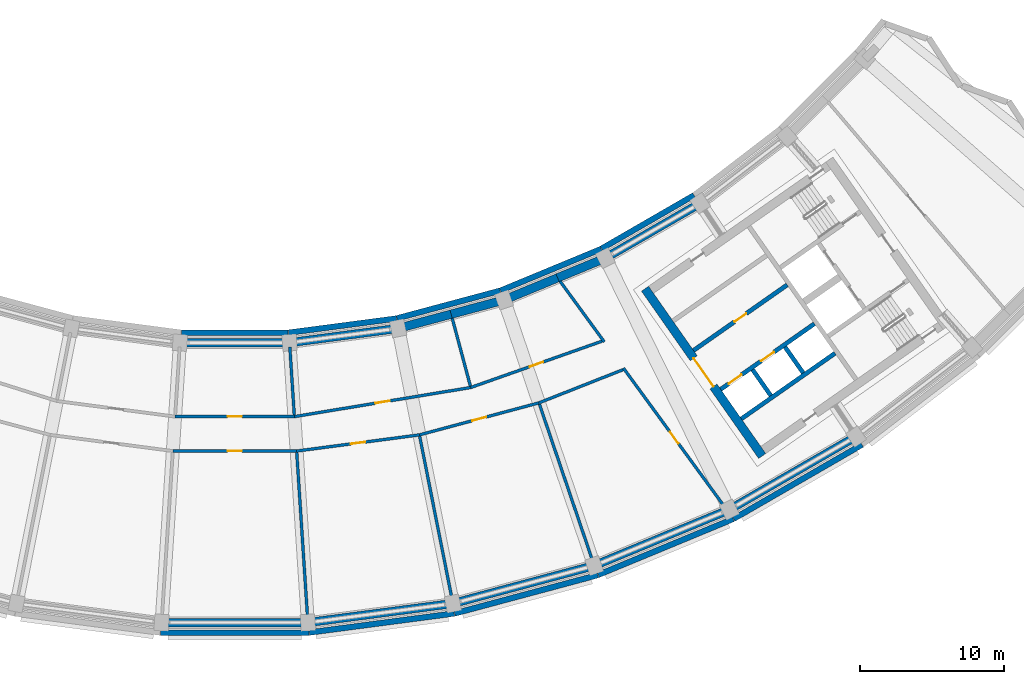
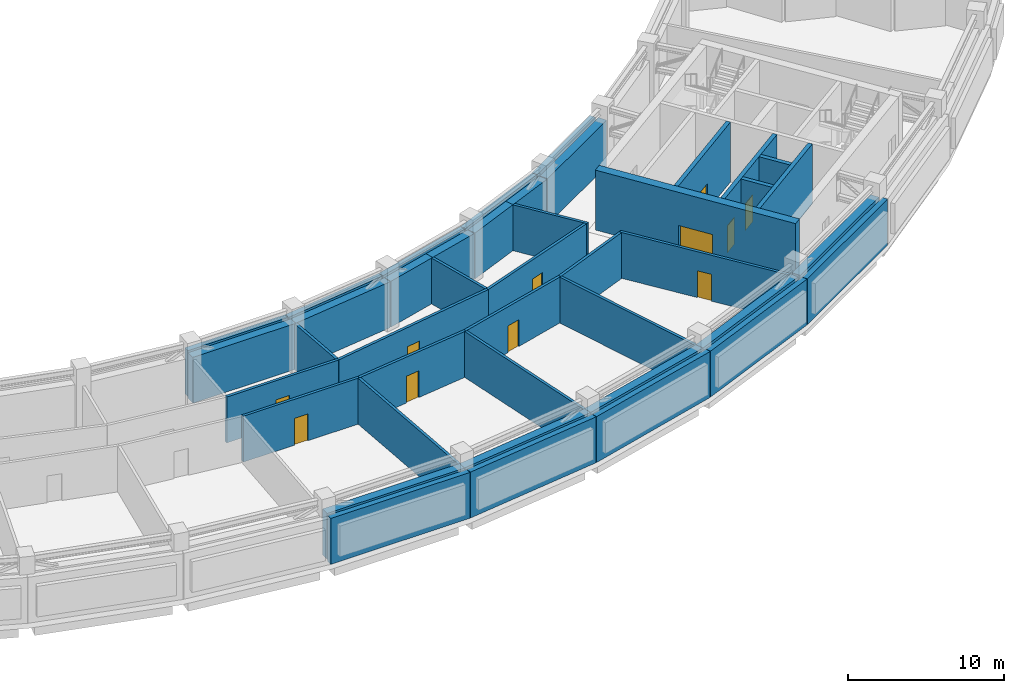
# One storey, part 7 of 24: 42 walls, 11 doors, 11 openings.
"""IFC4 building model written with IfcOpenShell, lengths in metres."""

from ifc_helpers import new_model, si_unit, direction, frame, frame_2d, origin, place, context, subcontext, project, spatial, rectangle, extrude, material, layer, layer_set, type_object, element, fill, save


model = new_model("IFC4")

# Units and contexts
model_context = context("Model", 3, precision=1e-05, world=origin(), true_north=direction((0.0, 1.0)))
body_context = subcontext(model_context, "Body", "Model", "MODEL_VIEW")
ifc_project = project(units=[si_unit("LENGTHUNIT", "METRE"), si_unit("AREAUNIT", "SQUARE_METRE"), si_unit("VOLUMEUNIT", "CUBIC_METRE"), si_unit("PLANEANGLEUNIT", "RADIAN"), si_unit("MASSUNIT", "GRAM", prefix="KILO")], contexts=[model_context])

# Site, building, storey
site_placement = place(None, origin())
site = spatial("IfcSite", under=ifc_project, at=site_placement, CompositionType="ELEMENT")
building_placement = place(site_placement, origin())
building = spatial("IfcBuilding", under=site, at=building_placement, Name="Qamariyya Broadcast Tower", CompositionType="ELEMENT")
storey_placement = place(building_placement, frame((0.0, 0.0, 253.10009765625)))
storey = spatial("IfcBuildingStorey", under=building, at=storey_placement, Name="L61", CompositionType="ELEMENT", Elevation=253.10009765625)

# Wall, opening, door
ifc_material_1 = material(Name="Concrete C60/75", Category="concrete")
ifc_layer_1 = layer(ifc_material_1, 0.60009765625)
ifc_layer_set_1 = layer_set([ifc_layer_1], Name="Core wall 600 mm Concrete C60/75")
wall_type_1 = type_object("IfcWallType", Name="Core wall 600 mm Concrete C60/75", PredefinedType="SHEAR", material=ifc_layer_set_1)
wall_1_placement = place(storey_placement, frame((36.66748046875, -66.005126953125, 0.0), z_axis=(0.0, 0.0, 1.0), x_axis=(-0.573568499524, 0.819157601658, 0.0)))
wall_1 = element("IfcWall", 1, at=wall_1_placement, inside=storey, type_object=wall_type_1, Name="k-E-L61-WA", PredefinedType="SHEAR", context=body_context, shape_type="SweptSolid", body=[
    extrude(rectangle(XDim=14.19970703125, YDim=0.60009765625, at=frame_2d((7.099853515625, 0.0))), origin(), (0.0, 0.0, 1.0), 4.699951171875),
])
opening_1_placement = place(wall_1_placement, frame((5.89990234375, 0.0, 0.0)))
opening_1 = element("IfcOpeningElement", 2, at=opening_1_placement, cuts=wall_1, Name="Opening KD3-E1", PredefinedType="OPENING", context=body_context, shape_type="SweptSolid", body=[
    extrude(rectangle(XDim=2.39990234375, YDim=2.10009765625, at=frame_2d((1.199951171875, 1.050048828125))), frame((0.0, 0.31005859375, 0.0), z_axis=(0.0, -1.0, 0.0), x_axis=(1.0, 0.0, 0.0)), (0.0, 0.0, 1.0), 0.6201171875),
])
ifc_material_2 = material(Name="Steel fire-resisting door leaf", Category="steel")
door_type_1 = type_object("IfcDoorType", Name="Lift lobby door KD3", OperationType="DOUBLE_DOOR_SINGLE_SWING", PredefinedType="DOOR", material=ifc_material_2)
door_1_placement = place(opening_1_placement, origin())
door_1 = element("IfcDoor", 3, at=door_1_placement, inside=storey, type_object=door_type_1, Name="k-E-L61-WA-D1", OperationType="DOUBLE_DOOR_SINGLE_SWING", OverallHeight=2.10009765625, OverallWidth=2.39990234375, PredefinedType="DOOR", context=body_context, shape_type="SweptSolid", body=[
    extrude(rectangle(XDim=2.39990234375, YDim=2.10009765625, at=frame_2d((1.199951171875, 1.050048828125))), frame((0.0, 0.02490234375, 0.0), z_axis=(0.0, -1.0, 0.0), x_axis=(1.0, 0.0, 0.0)), (0.0, 0.0, 1.0), 0.050048828125),
])
fill(opening_1, door_1)

ifc_layer_2 = layer(ifc_material_1, 0.300048828125)
ifc_layer_set_2 = layer_set([ifc_layer_2], Name="Lift shaft wall 300 mm Concrete C60/75")
wall_type_2 = type_object("IfcWallType", Name="Lift shaft wall 300 mm Concrete C60/75", PredefinedType="SOLIDWALL", material=ifc_layer_set_2)
wall_2_placement = place(storey_placement, frame((31.89453125, -58.66552734375, 0.0), z_axis=(0.0, 0.0, 1.0), x_axis=(0.819166993208, 0.573555086491, 0.0)))
wall_2 = element("IfcWall", 4, at=wall_2_placement, inside=storey, type_object=wall_type_2, Name="k-E-L61-NF0", PredefinedType="SOLIDWALL", context=body_context, shape_type="SweptSolid", body=[
    extrude(rectangle(XDim=7.9501953125, YDim=0.300048828125, at=frame_2d((3.97509765625, 0.0))), origin(), (0.0, 0.0, 1.0), 4.699951171875),
])
opening_2_placement = place(wall_2_placement, frame((3.47509765625, 0.0, 0.0)))
opening_2 = element("IfcOpeningElement", 5, at=opening_2_placement, cuts=wall_2, Name="Opening KD4-E1", PredefinedType="OPENING", context=body_context, shape_type="SweptSolid", body=[
    extrude(rectangle(XDim=1.0, YDim=2.10009765625, at=frame_2d((0.5, 1.050048828125))), frame((0.0, 0.159912109375, 0.0), z_axis=(0.0, -1.0, 0.0), x_axis=(1.0, 0.0, 0.0)), (0.0, 0.0, 1.0), 0.320068359375),
])
door_type_2 = type_object("IfcDoorType", Name="Riser and plant door KD4", OperationType="SINGLE_SWING_LEFT", PredefinedType="DOOR", material=ifc_material_2)
door_2_placement = place(opening_2_placement, origin())
door_2 = element("IfcDoor", 6, at=door_2_placement, inside=storey, type_object=door_type_2, Name="k-E-L61-NF0-D2", OperationType="SINGLE_SWING_RIGHT", OverallHeight=2.10009765625, OverallWidth=1.0, PredefinedType="DOOR", context=body_context, shape_type="SweptSolid", body=[
    extrude(rectangle(XDim=1.0, YDim=2.10009765625, at=frame_2d((0.5, 1.050048828125))), frame((0.0, 0.02490234375, 0.0), z_axis=(0.0, -1.0, 0.0), x_axis=(1.0, 0.0, 0.0)), (0.0, 0.0, 1.0), 0.050048828125),
])
fill(opening_2, door_2)

# Wall, openings, doors
wall_3_placement = place(storey_placement, frame((33.787353515625, -61.368896484375, 0.0), z_axis=(0.0, 0.0, 1.0), x_axis=(0.819152564888, 0.573575692858, 0.0)))
wall_3 = element("IfcWall", 7, at=wall_3_placement, inside=storey, type_object=wall_type_2, Name="k-E-L61-SF0", PredefinedType="SOLIDWALL", context=body_context, shape_type="SweptSolid", body=[
    extrude(rectangle(XDim=7.9501953125, YDim=0.300048828125, at=frame_2d((3.97509765625, 0.0))), origin(), (0.0, 0.0, 1.0), 4.699951171875),
])
opening_3_placement = place(wall_3_placement, frame((0.675048828125, 0.0, 0.0)))
opening_3 = element("IfcOpeningElement", 8, at=opening_3_placement, cuts=wall_3, Name="Opening LD", PredefinedType="OPENING", context=body_context, shape_type="SweptSolid", body=[
    extrude(rectangle(XDim=1.10009765625, YDim=2.10009765625, at=frame_2d((0.550048828125, 1.050048828125))), frame((0.0, 0.159912109375, 0.0), z_axis=(0.0, -1.0, 0.0), x_axis=(1.0, 0.0, 0.0)), (0.0, 0.0, 1.0), 0.320068359375),
])
opening_4_placement = place(wall_3_placement, frame((3.425048828125, 0.0, 0.0)))
opening_4 = element("IfcOpeningElement", 9, at=opening_4_placement, cuts=wall_3, Name="Opening LD", PredefinedType="OPENING", context=body_context, shape_type="SweptSolid", body=[
    extrude(rectangle(XDim=1.10009765625, YDim=2.10009765625, at=frame_2d((0.550048828125, 1.050048828125))), frame((0.0, 0.159912109375, 0.0), z_axis=(0.0, -1.0, 0.0), x_axis=(1.0, 0.0, 0.0)), (0.0, 0.0, 1.0), 0.320068359375),
])
door_type_3 = type_object("IfcDoorType", Name="Lift landing door LD", OperationType="DOUBLE_DOOR_SLIDING", PredefinedType="DOOR", material=ifc_material_2)
door_3_placement = place(opening_3_placement, origin())
door_3 = element("IfcDoor", 10, at=door_3_placement, inside=storey, type_object=door_type_3, Name="k-E-L61-SF0-D3", OperationType="DOUBLE_DOOR_SLIDING", OverallHeight=2.10009765625, OverallWidth=1.10009765625, PredefinedType="DOOR", context=body_context, shape_type="SweptSolid", body=[
    extrude(rectangle(XDim=1.10009765625, YDim=2.10009765625, at=frame_2d((0.550048828125, 1.050048828125))), frame((0.0, 0.02490234375, 0.0), z_axis=(0.0, -1.0, 0.0), x_axis=(1.0, 0.0, 0.0)), (0.0, 0.0, 1.0), 0.050048828125),
])
fill(opening_3, door_3)
door_4_placement = place(opening_4_placement, origin())
door_4 = element("IfcDoor", 11, at=door_4_placement, inside=storey, type_object=door_type_3, Name="k-E-L61-SF0-D4", OperationType="DOUBLE_DOOR_SLIDING", OverallHeight=2.10009765625, OverallWidth=1.10009765625, PredefinedType="DOOR", context=body_context, shape_type="SweptSolid", body=[
    extrude(rectangle(XDim=1.10009765625, YDim=2.10009765625, at=frame_2d((0.550048828125, 1.050048828125))), frame((0.0, 0.02490234375, 0.0), z_axis=(0.0, -1.0, 0.0), x_axis=(1.0, 0.0, 0.0)), (0.0, 0.0, 1.0), 0.050048828125),
])
fill(opening_4, door_4)

# Walls
wall_4_placement = place(storey_placement, frame((35.22119140625, -63.41650390625, 0.0), z_axis=(0.0, 0.0, 1.0), x_axis=(0.819166993208, 0.573555086491, 0.0)))
element("IfcWall", 12, at=wall_4_placement, inside=storey, type_object=wall_type_2, Name="k-E-L61-SB0", PredefinedType="SOLIDWALL", context=body_context, shape_type="SweptSolid", body=[
    extrude(rectangle(XDim=7.9501953125, YDim=0.300048828125, at=frame_2d((3.97509765625, 0.0))), origin(), (0.0, 0.0, 1.0), 4.699951171875),
])
wall_5_placement = place(storey_placement, frame((36.003173828125, -60.000244140625, 0.0), z_axis=(0.0, 0.0, 1.0), x_axis=(0.573581496053, -0.819148501424, 0.0)))
element("IfcWall", 13, at=wall_5_placement, inside=storey, type_object=wall_type_2, Name="k-E-L61-SD0", PredefinedType="SOLIDWALL", context=body_context, shape_type="SweptSolid", body=[
    extrude(rectangle(XDim=2.2001953125, YDim=0.300048828125, at=frame_2d((1.10009765625, 0.0))), origin(), (0.0, 0.0, 1.0), 4.699951171875),
])
wall_6_placement = place(storey_placement, frame((38.255859375, -58.423095703125, 0.0), z_axis=(0.0, 0.0, 1.0), x_axis=(0.573633636671, -0.819111989218, 0.0)))
element("IfcWall", 14, at=wall_6_placement, inside=storey, type_object=wall_type_2, Name="k-E-L61-SD1", PredefinedType="SOLIDWALL", context=body_context, shape_type="SweptSolid", body=[
    extrude(rectangle(XDim=2.199951171875, YDim=0.300048828125, at=frame_2d((1.10009765625, 0.0))), origin(), (0.0, 0.0, 1.0), 4.699951171875),
])

# Wall, opening, door
ifc_material_3 = material(Name="Masonry block wall", Category="masonry")
ifc_layer_3 = layer(ifc_material_3, 0.199951171875)
ifc_layer_set_3 = layer_set([ifc_layer_3], Name="Plant room wall 200 EI 120")
wall_type_3 = type_object("IfcWallType", Name="Plant room wall 200 EI 120", PredefinedType="PARTITIONING", material=ifc_layer_set_3)
wall_7_placement = place(storey_placement, frame((4.303466796875, -65.6591796875, 0.0), z_axis=(0.0, 0.0, 1.0), x_axis=(-1.0, 0.0, 0.0)))
wall_7 = element("IfcWall", 15, at=wall_7_placement, inside=storey, type_object=wall_type_3, Name="Partition L61-033", PredefinedType="PARTITIONING", context=body_context, shape_type="SweptSolid", body=[
    extrude(rectangle(XDim=8.60693359375, YDim=0.199951171875, at=frame_2d((4.303466796875, 0.0))), origin(), (0.0, 0.0, 1.0), 3.599853515625),
])
opening_5_placement = place(wall_7_placement, frame((3.803466796875, 0.0, 0.0)))
opening_5 = element("IfcOpeningElement", 16, at=opening_5_placement, cuts=wall_7, Name="Opening L61-D04", PredefinedType="OPENING", context=body_context, shape_type="SweptSolid", body=[
    extrude(rectangle(XDim=1.0, YDim=2.10009765625, at=frame_2d((0.5, 1.050048828125))), frame((0.0, 0.10986328125, 0.0), z_axis=(0.0, -1.0, 0.0), x_axis=(1.0, 0.0, 0.0)), (0.0, 0.0, 1.0), 0.219970703125),
])
ifc_material_4 = material(Name="Insulated metal door leaf")
door_type_4 = type_object("IfcDoorType", Name="Plant door 1000 x 2100 FD120", OperationType="NOTDEFINED", PredefinedType="DOOR", material=ifc_material_4)
door_5_placement = place(opening_5_placement, origin())
door_5 = element("IfcDoor", 17, at=door_5_placement, inside=storey, type_object=door_type_4, Name="Door L61-D04", OperationType="SINGLE_SWING_RIGHT", OverallHeight=2.10009765625, OverallWidth=1.0, PredefinedType="DOOR", context=body_context, shape_type="SweptSolid", body=[
    extrude(rectangle(XDim=1.0, YDim=2.10009765625, at=frame_2d((0.5, 1.050048828125))), frame((0.0, 0.02490234375, 0.0), z_axis=(0.0, -1.0, 0.0), x_axis=(1.0, 0.0, 0.0)), (0.0, 0.0, 1.0), 0.050048828125),
])
fill(opening_5, door_5)

wall_8_placement = place(storey_placement, frame((-4.146484375, -63.26416015625, 0.0), z_axis=(0.0, 0.0, 1.0), x_axis=(1.0, 0.0, 0.0)))
wall_8 = element("IfcWall", 18, at=wall_8_placement, inside=storey, type_object=wall_type_3, Name="Partition L61-034", PredefinedType="PARTITIONING", context=body_context, shape_type="SweptSolid", body=[
    extrude(rectangle(XDim=8.29296875, YDim=0.199951171875, at=frame_2d((4.146484375, 0.0))), origin(), (0.0, 0.0, 1.0), 3.599853515625),
])
opening_6_placement = place(wall_8_placement, frame((3.646484375, 0.0, 0.0)))
opening_6 = element("IfcOpeningElement", 19, at=opening_6_placement, cuts=wall_8, Name="Opening L61-D10", PredefinedType="OPENING", context=body_context, shape_type="SweptSolid", body=[
    extrude(rectangle(XDim=1.0, YDim=2.10009765625, at=frame_2d((0.5, 1.050048828125))), frame((0.0, 0.10986328125, 0.0), z_axis=(0.0, -1.0, 0.0), x_axis=(1.0, 0.0, 0.0)), (0.0, 0.0, 1.0), 0.219970703125),
])
door_6_placement = place(opening_6_placement, origin())
door_6 = element("IfcDoor", 20, at=door_6_placement, inside=storey, type_object=door_type_4, Name="Door L61-D10", OperationType="SINGLE_SWING_RIGHT", OverallHeight=2.10009765625, OverallWidth=1.0, PredefinedType="DOOR", context=body_context, shape_type="SweptSolid", body=[
    extrude(rectangle(XDim=1.0, YDim=2.10009765625, at=frame_2d((0.5, 1.050048828125))), frame((0.0, 0.02490234375, 0.0), z_axis=(0.0, -1.0, 0.0), x_axis=(1.0, 0.0, 0.0)), (0.0, 0.0, 1.0), 0.050048828125),
])
fill(opening_6, door_6)

# Wall
wall_9_placement = place(storey_placement, frame((3.829345703125, -58.424560546875, 0.0), z_axis=(0.0, 0.0, 1.0), x_axis=(0.065427369886, -0.997857334126, 0.0)))
element("IfcWall", 21, at=wall_9_placement, inside=storey, type_object=wall_type_3, Name="Partition L61-037", PredefinedType="PARTITIONING", context=body_context, shape_type="SweptSolid", body=[
    extrude(rectangle(XDim=4.750244140625, YDim=0.199951171875, at=frame_2d((2.375, 0.0))), origin(), (0.0, 0.0, 1.0), 3.599853515625),
])

# Wall, opening, door
wall_10_placement = place(storey_placement, frame((4.146484375, -63.26416015625, 0.0), z_axis=(0.0, 0.0, 1.0), x_axis=(0.986645467323, 0.162882539919, 0.0)))
wall_10 = element("IfcWall", 22, at=wall_10_placement, inside=storey, type_object=wall_type_3, Name="Partition L61-039", PredefinedType="PARTITIONING", context=body_context, shape_type="SweptSolid", body=[
    extrude(rectangle(XDim=12.4287109375, YDim=0.199951171875, at=frame_2d((6.21435546875, 0.0))), origin(), (0.0, 0.0, 1.0), 3.599853515625),
])
opening_7_placement = place(wall_10_placement, frame((5.71435546875, 0.0, 0.0)))
opening_7 = element("IfcOpeningElement", 23, at=opening_7_placement, cuts=wall_10, Name="Opening L61-D11", PredefinedType="OPENING", context=body_context, shape_type="SweptSolid", body=[
    extrude(rectangle(XDim=1.0, YDim=2.10009765625, at=frame_2d((0.5, 1.050048828125))), frame((0.0, 0.10986328125, 0.0), z_axis=(0.0, -1.0, 0.0), x_axis=(1.0, 0.0, 0.0)), (0.0, 0.0, 1.0), 0.219970703125),
])
door_7_placement = place(opening_7_placement, origin())
door_7 = element("IfcDoor", 24, at=door_7_placement, inside=storey, type_object=door_type_4, Name="Door L61-D11", OperationType="SINGLE_SWING_RIGHT", OverallHeight=2.10009765625, OverallWidth=1.0, PredefinedType="DOOR", context=body_context, shape_type="SweptSolid", body=[
    extrude(rectangle(XDim=1.0, YDim=2.10009765625, at=frame_2d((0.5, 1.050048828125))), frame((0.0, 0.02490234375, 0.0), z_axis=(0.0, -1.0, 0.0), x_axis=(1.0, 0.0, 0.0)), (0.0, 0.0, 1.0), 0.050048828125),
])
fill(opening_7, door_7)

wall_11_placement = place(storey_placement, frame((12.8369140625, -64.53564453125, 0.0), z_axis=(0.0, 0.0, 1.0), x_axis=(-0.991443575654, -0.130535957862, 0.0)))
wall_11 = element("IfcWall", 25, at=wall_11_placement, inside=storey, type_object=wall_type_3, Name="Partition L61-040", PredefinedType="PARTITIONING", context=body_context, shape_type="SweptSolid", body=[
    extrude(rectangle(XDim=8.607177734375, YDim=0.199951171875, at=frame_2d((4.3037109375, 0.0))), origin(), (0.0, 0.0, 1.0), 3.599853515625),
])
opening_8_placement = place(wall_11_placement, frame((3.803466796875, 0.0, 0.0)))
opening_8 = element("IfcOpeningElement", 26, at=opening_8_placement, cuts=wall_11, Name="Opening L61-D05", PredefinedType="OPENING", context=body_context, shape_type="SweptSolid", body=[
    extrude(rectangle(XDim=1.0, YDim=2.10009765625, at=frame_2d((0.5, 1.050048828125))), frame((0.0, 0.10986328125, 0.0), z_axis=(0.0, -1.0, 0.0), x_axis=(1.0, 0.0, 0.0)), (0.0, 0.0, 1.0), 0.219970703125),
])
door_8_placement = place(opening_8_placement, origin())
door_8 = element("IfcDoor", 27, at=door_8_placement, inside=storey, type_object=door_type_4, Name="Door L61-D05", OperationType="SINGLE_SWING_RIGHT", OverallHeight=2.10009765625, OverallWidth=1.0, PredefinedType="DOOR", context=body_context, shape_type="SweptSolid", body=[
    extrude(rectangle(XDim=1.0, YDim=2.10009765625, at=frame_2d((0.5, 1.050048828125))), frame((0.0, 0.02490234375, 0.0), z_axis=(0.0, -1.0, 0.0), x_axis=(1.0, 0.0, 0.0)), (0.0, 0.0, 1.0), 0.050048828125),
])
fill(opening_8, door_8)

# Wall
wall_12_placement = place(storey_placement, frame((5.0654296875, -77.2841796875, 0.0), z_axis=(0.0, 0.0, 1.0), x_axis=(-0.065399429308, 0.997859165737, 0.0)))
element("IfcWall", 28, at=wall_12_placement, inside=storey, type_object=wall_type_3, Name="Partition L61-041", PredefinedType="PARTITIONING", context=body_context, shape_type="SweptSolid", body=[
    extrude(rectangle(XDim=11.550048828125, YDim=0.199951171875, at=frame_2d((5.77490234375, 0.0))), origin(), (0.0, 0.0, 1.0), 3.599853515625),
])

# Wall, opening, door
wall_13_placement = place(storey_placement, frame((21.150634765625, -62.30810546875, 0.0), z_axis=(0.0, 0.0, 1.0), x_axis=(-0.965929186451, -0.258806504483, 0.0)))
wall_13 = element("IfcWall", 29, at=wall_13_placement, inside=storey, type_object=wall_type_3, Name="Partition L61-044", PredefinedType="PARTITIONING", context=body_context, shape_type="SweptSolid", body=[
    extrude(rectangle(XDim=8.60693359375, YDim=0.199951171875, at=frame_2d((4.303466796875, 0.0))), origin(), (0.0, 0.0, 1.0), 3.599853515625),
])
opening_9_placement = place(wall_13_placement, frame((3.803466796875, 0.0, 0.0)))
opening_9 = element("IfcOpeningElement", 30, at=opening_9_placement, cuts=wall_13, Name="Opening L61-D06", PredefinedType="OPENING", context=body_context, shape_type="SweptSolid", body=[
    extrude(rectangle(XDim=1.0, YDim=2.10009765625, at=frame_2d((0.5, 1.050048828125))), frame((0.0, 0.10986328125, 0.0), z_axis=(0.0, -1.0, 0.0), x_axis=(1.0, 0.0, 0.0)), (0.0, 0.0, 1.0), 0.219970703125),
])
door_9_placement = place(opening_9_placement, origin())
door_9 = element("IfcDoor", 31, at=door_9_placement, inside=storey, type_object=door_type_4, Name="Door L61-D06", OperationType="SINGLE_SWING_RIGHT", OverallHeight=2.10009765625, OverallWidth=1.0, PredefinedType="DOOR", context=body_context, shape_type="SweptSolid", body=[
    extrude(rectangle(XDim=1.0, YDim=2.10009765625, at=frame_2d((0.5, 1.050048828125))), frame((0.0, 0.02490234375, 0.0), z_axis=(0.0, -1.0, 0.0), x_axis=(1.0, 0.0, 0.0)), (0.0, 0.0, 1.0), 0.050048828125),
])
fill(opening_9, door_9)

# Walls
wall_14_placement = place(storey_placement, frame((15.12158203125, -56.4345703125, 0.0), z_axis=(0.0, 0.0, 1.0), x_axis=(0.258834553275, -0.965921670753, 0.0)))
element("IfcWall", 32, at=wall_14_placement, inside=storey, type_object=wall_type_3, Name="Partition L61-045", PredefinedType="PARTITIONING", context=body_context, shape_type="SweptSolid", body=[
    extrude(rectangle(XDim=4.87451171875, YDim=0.199951171875, at=frame_2d((2.437255859375, 0.0))), origin(), (0.0, 0.0, 1.0), 3.599853515625),
])
wall_15_placement = place(storey_placement, frame((15.10986328125, -75.9619140625, 0.0), z_axis=(0.0, 0.0, 1.0), x_axis=(-0.195099800341, 0.980783394999, 0.0)))
element("IfcWall", 33, at=wall_15_placement, inside=storey, type_object=wall_type_3, Name="Partition L61-047", PredefinedType="PARTITIONING", context=body_context, shape_type="SweptSolid", body=[
    extrude(rectangle(XDim=11.550048828125, YDim=0.199951171875, at=frame_2d((5.77490234375, 0.0))), origin(), (0.0, 0.0, 1.0), 3.599853515625),
])

# Wall, opening, door
wall_16_placement = place(storey_placement, frame((16.4091796875, -61.23974609375, 0.0), z_axis=(0.0, 0.0, 1.0), x_axis=(0.943086221811, 0.332548309619, 0.0)))
wall_16 = element("IfcWall", 34, at=wall_16_placement, inside=storey, type_object=wall_type_3, Name="Partition L61-049", PredefinedType="PARTITIONING", context=body_context, shape_type="SweptSolid", body=[
    extrude(rectangle(XDim=9.678955078125, YDim=0.199951171875, at=frame_2d((4.83935546875, 0.0))), origin(), (0.0, 0.0, 1.0), 3.599853515625),
])
opening_10_placement = place(wall_16_placement, frame((4.339599609375, 0.0, 0.0)))
opening_10 = element("IfcOpeningElement", 35, at=opening_10_placement, cuts=wall_16, Name="Opening L61-D12", PredefinedType="OPENING", context=body_context, shape_type="SweptSolid", body=[
    extrude(rectangle(XDim=1.0, YDim=2.10009765625, at=frame_2d((0.5, 1.050048828125))), frame((0.0, 0.10986328125, 0.0), z_axis=(0.0, -1.0, 0.0), x_axis=(1.0, 0.0, 0.0)), (0.0, 0.0, 1.0), 0.219970703125),
])
door_10_placement = place(opening_10_placement, origin())
door_10 = element("IfcDoor", 36, at=door_10_placement, inside=storey, type_object=door_type_4, Name="Door L61-D12", OperationType="SINGLE_SWING_RIGHT", OverallHeight=2.10009765625, OverallWidth=1.0, PredefinedType="DOOR", context=body_context, shape_type="SweptSolid", body=[
    extrude(rectangle(XDim=1.0, YDim=2.10009765625, at=frame_2d((0.5, 1.050048828125))), frame((0.0, 0.02490234375, 0.0), z_axis=(0.0, -1.0, 0.0), x_axis=(1.0, 0.0, 0.0)), (0.0, 0.0, 1.0), 0.050048828125),
])
fill(opening_10, door_10)

# Walls
wall_17_placement = place(storey_placement, frame((21.150634765625, -62.30810546875, 0.0), z_axis=(0.0, 0.0, 1.0), x_axis=(0.930256649469, 0.366909479463, 0.0)))
element("IfcWall", 37, at=wall_17_placement, inside=storey, type_object=wall_type_3, Name="Partition L61-051", PredefinedType="PARTITIONING", context=body_context, shape_type="SweptSolid", body=[
    extrude(rectangle(XDim=6.271484375, YDim=0.199951171875, at=frame_2d((3.1357421875, 0.0))), origin(), (0.0, 0.0, 1.0), 3.599853515625),
])
wall_18_placement = place(storey_placement, frame((22.62109375, -53.85986328125, 0.0), z_axis=(0.0, 0.0, 1.0), x_axis=(0.589260761918, -0.80794291535, 0.0)))
element("IfcWall", 38, at=wall_18_placement, inside=storey, type_object=wall_type_3, Name="Partition L61-052", PredefinedType="PARTITIONING", context=body_context, shape_type="SweptSolid", body=[
    extrude(rectangle(XDim=5.209228515625, YDim=0.199951171875, at=frame_2d((2.6044921875, 0.0))), origin(), (0.0, 0.0, 1.0), 3.599853515625),
])
wall_19_placement = place(storey_placement, frame((24.8955078125, -73.33984375, 0.0), z_axis=(0.0, 0.0, 1.0), x_axis=(-0.321435459645, 0.946931489223, 0.0)))
element("IfcWall", 39, at=wall_19_placement, inside=storey, type_object=wall_type_3, Name="Partition L61-054", PredefinedType="PARTITIONING", context=body_context, shape_type="SweptSolid", body=[
    extrude(rectangle(XDim=11.55029296875, YDim=0.199951171875, at=frame_2d((5.775146484375, 0.0))), origin(), (0.0, 0.0, 1.0), 3.599853515625),
])

# Wall, opening, door
wall_20_placement = place(storey_placement, frame((34.064697265625, -69.550048828125, 0.0), z_axis=(0.0, 0.0, 1.0), x_axis=(-0.589263800386, 0.807940699281, 0.0)))
wall_20 = element("IfcWall", 40, at=wall_20_placement, inside=storey, type_object=wall_type_3, Name="Partition L61-057", PredefinedType="PARTITIONING", context=body_context, shape_type="SweptSolid", body=[
    extrude(rectangle(XDim=11.95703125, YDim=0.199951171875, at=frame_2d((5.978515625, 0.0))), origin(), (0.0, 0.0, 1.0), 3.599853515625),
])
opening_11_placement = place(wall_20_placement, frame((5.478515625, 0.0, 0.0)))
opening_11 = element("IfcOpeningElement", 41, at=opening_11_placement, cuts=wall_20, Name="Opening L61-D07", PredefinedType="OPENING", context=body_context, shape_type="SweptSolid", body=[
    extrude(rectangle(XDim=1.0, YDim=2.10009765625, at=frame_2d((0.5, 1.050048828125))), frame((0.0, 0.10986328125, 0.0), z_axis=(0.0, -1.0, 0.0), x_axis=(1.0, 0.0, 0.0)), (0.0, 0.0, 1.0), 0.219970703125),
])
door_11_placement = place(opening_11_placement, origin())
door_11 = element("IfcDoor", 42, at=door_11_placement, inside=storey, type_object=door_type_4, Name="Door L61-D07", OperationType="SINGLE_SWING_RIGHT", OverallHeight=2.10009765625, OverallWidth=1.0, PredefinedType="DOOR", context=body_context, shape_type="SweptSolid", body=[
    extrude(rectangle(XDim=1.0, YDim=2.10009765625, at=frame_2d((0.5, 1.050048828125))), frame((0.0, 0.02490234375, 0.0), z_axis=(0.0, -1.0, 0.0), x_axis=(1.0, 0.0, 0.0)), (0.0, 0.0, 1.0), 0.050048828125),
])
fill(opening_11, door_11)

# Walls
ifc_material_5 = material(Name="Terracotta", Category="masonry")
ifc_layer_4 = layer(ifc_material_5, 0.39990234375)
ifc_layer_set_4 = layer_set([ifc_layer_4], Name="Terracotta clad plant wall 400")
wall_type_4 = type_object("IfcWallType", Name="Terracotta clad plant wall 400", PredefinedType="SOLIDWALL", material=ifc_layer_set_4)
wall_21_placement = place(storey_placement, frame((18.449951171875, -54.50927734375, 0.0), z_axis=(0.0, 0.0, 1.0), x_axis=(-0.965924866111, -0.25882262851, 0.0)))
element("IfcWall", 43, at=wall_21_placement, inside=storey, type_object=wall_type_4, Name="e-wl-L61-in100", PredefinedType="SOLIDWALL", context=body_context, shape_type="SweptSolid", body=[
    extrude(rectangle(XDim=7.426513671875, YDim=0.39990234375, at=frame_2d((3.71337890625, 0.0))), origin(), (0.0, 0.0, 1.0), 3.599853515625),
])
wall_22_placement = place(storey_placement, frame((25.47705078125, -51.60595703125, 0.0), z_axis=(0.0, 0.0, 1.0), x_axis=(-0.923884115122, -0.382672368777, 0.0)))
element("IfcWall", 44, at=wall_22_placement, inside=storey, type_object=wall_type_4, Name="e-wl-L61-in110", PredefinedType="SOLIDWALL", context=body_context, shape_type="SweptSolid", body=[
    extrude(rectangle(XDim=7.578125, YDim=0.39990234375, at=frame_2d((3.7890625, 0.0))), origin(), (0.0, 0.0, 1.0), 3.599853515625),
])
wall_23_placement = place(storey_placement, frame((31.929443359375, -47.876708984375, 0.0), z_axis=(0.0, 0.0, 1.0), x_axis=(-0.866021353871, -0.500007014591, 0.0)))
element("IfcWall", 45, at=wall_23_placement, inside=storey, type_object=wall_type_4, Name="e-wl-L61-in120", PredefinedType="SOLIDWALL", context=body_context, shape_type="SweptSolid", body=[
    extrude(rectangle(XDim=7.4267578125, YDim=0.39990234375, at=frame_2d((3.71337890625, 0.0))), origin(), (0.0, 0.0, 1.0), 3.599853515625),
])
wall_24_placement = place(storey_placement, frame((3.713134765625, -57.42724609375, 0.0), z_axis=(0.0, 0.0, 1.0), x_axis=(-1.0, 0.0, 0.0)))
element("IfcWall", 46, at=wall_24_placement, inside=storey, type_object=wall_type_4, Name="e-wl-L61-in80", PredefinedType="SOLIDWALL", context=body_context, shape_type="SweptSolid", body=[
    extrude(rectangle(XDim=7.42626953125, YDim=0.39990234375, at=frame_2d((3.713134765625, 0.0))), origin(), (0.0, 0.0, 1.0), 3.599853515625),
])
wall_25_placement = place(storey_placement, frame((11.252197265625, -56.44140625, 0.0), z_axis=(0.0, 0.0, 1.0), x_axis=(-0.991446288508, -0.130515351599, 0.0)))
element("IfcWall", 47, at=wall_25_placement, inside=storey, type_object=wall_type_4, Name="e-wl-L61-in90", PredefinedType="SOLIDWALL", context=body_context, shape_type="SweptSolid", body=[
    extrude(rectangle(XDim=7.57763671875, YDim=0.39990234375, at=frame_2d((3.788818359375, 0.0))), origin(), (0.0, 0.0, 1.0), 3.599853515625),
])
wall_26_placement = place(storey_placement, frame((15.280517578125, -76.94873046875, 0.0), z_axis=(0.0, 0.0, 1.0), x_axis=(0.965924590123, 0.258823658494, 0.0)))
element("IfcWall", 48, at=wall_26_placement, inside=storey, type_object=wall_type_4, Name="e-wl-L61-out100", PredefinedType="SOLIDWALL", context=body_context, shape_type="SweptSolid", body=[
    extrude(rectangle(XDim=10.311767578125, YDim=0.39990234375, at=frame_2d((5.15576171875, 0.0))), origin(), (0.0, 0.0, 1.0), 3.599853515625),
])
wall_27_placement = place(storey_placement, frame((25.263671875, -74.266845703125, 0.0), z_axis=(0.0, 0.0, 1.0), x_axis=(0.923876839767, 0.38268993316, 0.0)))
element("IfcWall", 49, at=wall_27_placement, inside=storey, type_object=wall_type_4, Name="e-wl-L61-out110", PredefinedType="SOLIDWALL", context=body_context, shape_type="SweptSolid", body=[
    extrude(rectangle(XDim=10.16015625, YDim=0.39990234375, at=frame_2d((5.080078125, 0.0))), origin(), (0.0, 0.0, 1.0), 3.599853515625),
])
wall_28_placement = place(storey_placement, frame((34.67578125, -70.371826171875, 0.0), z_axis=(0.0, 0.0, 1.0), x_axis=(0.86601841335, 0.500012107593, 0.0)))
element("IfcWall", 50, at=wall_28_placement, inside=storey, type_object=wall_type_4, Name="e-wl-L61-out120", PredefinedType="SOLIDWALL", context=body_context, shape_type="SweptSolid", body=[
    extrude(rectangle(XDim=10.311767578125, YDim=0.39990234375, at=frame_2d((5.15576171875, 0.0))), origin(), (0.0, 0.0, 1.0), 3.599853515625),
])
wall_29_placement = place(storey_placement, frame((-5.15576171875, -78.281494140625, 0.0), z_axis=(0.0, 0.0, 1.0), x_axis=(1.0, 0.0, 0.0)))
element("IfcWall", 51, at=wall_29_placement, inside=storey, type_object=wall_type_4, Name="e-wl-L61-out80", PredefinedType="SOLIDWALL", context=body_context, shape_type="SweptSolid", body=[
    extrude(rectangle(XDim=10.3115234375, YDim=0.39990234375, at=frame_2d((5.15576171875, 0.0))), origin(), (0.0, 0.0, 1.0), 3.599853515625),
])
wall_30_placement = place(storey_placement, frame((5.18115234375, -78.27490234375, 0.0), z_axis=(0.0, 0.0, 1.0), x_axis=(0.991444805558, 0.130526616185, 0.0)))
element("IfcWall", 52, at=wall_30_placement, inside=storey, type_object=wall_type_4, Name="e-wl-L61-out90", PredefinedType="SOLIDWALL", context=body_context, shape_type="SweptSolid", body=[
    extrude(rectangle(XDim=10.16015625, YDim=0.39990234375, at=frame_2d((5.080078125, 0.0))), origin(), (0.0, 0.0, 1.0), 3.599853515625),
])
ifc_layer_5 = layer(ifc_material_3, 0.60009765625)
ifc_layer_set_5 = layer_set([ifc_layer_5], Name="Truss casing wall 600 EI 120")
wall_type_5 = type_object("IfcWallType", Name="Truss casing wall 600 EI 120", PredefinedType="PARTITIONING", material=ifc_layer_set_5)
wall_31_placement = place(storey_placement, frame((-5.085205078125, -77.58349609375, 0.0), z_axis=(0.0, 0.0, 1.0), x_axis=(1.0, 0.0, 0.0)))
element("IfcWall", 53, at=wall_31_placement, inside=storey, type_object=wall_type_5, Name="Partition L61-032", PredefinedType="PARTITIONING", context=body_context, shape_type="SweptSolid", body=[
    extrude(rectangle(XDim=10.17041015625, YDim=0.60009765625, at=frame_2d((5.085205078125, 0.0))), origin(), (0.0, 0.0, 1.0), 3.599853515625),
])
wall_32_placement = place(storey_placement, frame((-3.809814453125, -58.125244140625, 0.0), z_axis=(0.0, 0.0, 1.0), x_axis=(1.0, 0.0, 0.0)))
element("IfcWall", 54, at=wall_32_placement, inside=storey, type_object=wall_type_5, Name="Partition L61-036", PredefinedType="PARTITIONING", context=body_context, shape_type="SweptSolid", body=[
    extrude(rectangle(XDim=7.61962890625, YDim=0.60009765625, at=frame_2d((3.809814453125, 0.0))), origin(), (0.0, 0.0, 1.0), 3.599853515625),
])
wall_33_placement = place(storey_placement, frame((3.809814453125, -58.125244140625, 0.0), z_axis=(0.0, 0.0, 1.0), x_axis=(0.99144685567, 0.13051104314, 0.0)))
element("IfcWall", 55, at=wall_33_placement, inside=storey, type_object=wall_type_5, Name="Partition L61-038", PredefinedType="PARTITIONING", context=body_context, shape_type="SweptSolid", body=[
    extrude(rectangle(XDim=7.5966796875, YDim=0.60009765625, at=frame_2d((3.79833984375, 0.0))), origin(), (0.0, 0.0, 1.0), 3.599853515625),
])
wall_34_placement = place(storey_placement, frame((5.085205078125, -77.58349609375, 0.0), z_axis=(0.0, 0.0, 1.0), x_axis=(0.99144563226, 0.130520336625, 0.0)))
element("IfcWall", 56, at=wall_34_placement, inside=storey, type_object=wall_type_5, Name="Partition L61-042", PredefinedType="PARTITIONING", context=body_context, shape_type="SweptSolid", body=[
    extrude(rectangle(XDim=10.169921875, YDim=0.60009765625, at=frame_2d((5.0849609375, 0.0))), origin(), (0.0, 0.0, 1.0), 3.599853515625),
])
wall_35_placement = place(storey_placement, frame((11.385986328125, -57.124755859375, 0.0), z_axis=(0.0, 0.0, 1.0), x_axis=(0.965936829447, 0.258777977267, 0.0)))
element("IfcWall", 57, at=wall_35_placement, inside=storey, type_object=wall_type_5, Name="Partition L61-043", PredefinedType="PARTITIONING", context=body_context, shape_type="SweptSolid", body=[
    extrude(rectangle(XDim=3.786865234375, YDim=0.60009765625, at=frame_2d((1.8935546875, 0.0))), origin(), (0.0, 0.0, 1.0), 3.599853515625),
])
wall_36_placement = place(storey_placement, frame((15.0439453125, -56.144775390625, 0.0), z_axis=(0.0, 0.0, 1.0), x_axis=(0.965920713003, 0.258838127392, 0.0)))
element("IfcWall", 58, at=wall_36_placement, inside=storey, type_object=wall_type_5, Name="Partition L61-046", PredefinedType="PARTITIONING", context=body_context, shape_type="SweptSolid", body=[
    extrude(rectangle(XDim=3.787109375, YDim=0.60009765625, at=frame_2d((1.8935546875, 0.0))), origin(), (0.0, 0.0, 1.0), 3.599853515625),
])
wall_37_placement = place(storey_placement, frame((15.168212890625, -76.256103515625, 0.0), z_axis=(0.0, 0.0, 1.0), x_axis=(0.965924263558, 0.258824877223, 0.0)))
element("IfcWall", 59, at=wall_37_placement, inside=storey, type_object=wall_type_5, Name="Partition L61-048", PredefinedType="PARTITIONING", context=body_context, shape_type="SweptSolid", body=[
    extrude(rectangle(XDim=10.17041015625, YDim=0.60009765625, at=frame_2d((5.085205078125, 0.0))), origin(), (0.0, 0.0, 1.0), 3.599853515625),
])
wall_38_placement = place(storey_placement, frame((18.744873046875, -55.14990234375, 0.0), z_axis=(0.0, 0.0, 1.0), x_axis=(0.923891994044, 0.382653346177, 0.0)))
element("IfcWall", 60, at=wall_38_placement, inside=storey, type_object=wall_type_5, Name="Partition L61-050", PredefinedType="PARTITIONING", context=body_context, shape_type="SweptSolid", body=[
    extrude(rectangle(XDim=4.004150390625, YDim=0.60009765625, at=frame_2d((2.001953125, 0.0))), origin(), (0.0, 0.0, 1.0), 3.599853515625),
])
wall_39_placement = place(storey_placement, frame((22.4443359375, -53.61767578125, 0.0), z_axis=(0.0, 0.0, 1.0), x_axis=(0.923870126847, 0.382706138858, 0.0)))
element("IfcWall", 61, at=wall_39_placement, inside=storey, type_object=wall_type_5, Name="Partition L61-053", PredefinedType="PARTITIONING", context=body_context, shape_type="SweptSolid", body=[
    extrude(rectangle(XDim=3.56982421875, YDim=0.60009765625, at=frame_2d((1.784912109375, 0.0))), origin(), (0.0, 0.0, 1.0), 3.599853515625),
])
wall_40_placement = place(storey_placement, frame((24.991943359375, -73.623779296875, 0.0), z_axis=(0.0, 0.0, 1.0), x_axis=(0.923878627441, 0.38268561739, 0.0)))
element("IfcWall", 62, at=wall_40_placement, inside=storey, type_object=wall_type_5, Name="Partition L61-055", PredefinedType="PARTITIONING", context=body_context, shape_type="SweptSolid", body=[
    extrude(rectangle(XDim=10.01171875, YDim=0.60009765625, at=frame_2d((5.005859375, 0.0))), origin(), (0.0, 0.0, 1.0), 3.599853515625),
])
wall_41_placement = place(storey_placement, frame((25.782958984375, -52.2314453125, 0.0), z_axis=(0.0, 0.0, 1.0), x_axis=(0.866020793316, 0.500007985481, 0.0)))
element("IfcWall", 63, at=wall_41_placement, inside=storey, type_object=wall_type_5, Name="Partition L61-056", PredefinedType="PARTITIONING", context=body_context, shape_type="SweptSolid", body=[
    extrude(rectangle(XDim=7.57421875, YDim=0.60009765625, at=frame_2d((3.787109375, 0.0))), origin(), (0.0, 0.0, 1.0), 3.599853515625),
])
wall_42_placement = place(storey_placement, frame((34.407470703125, -69.720458984375, 0.0), z_axis=(0.0, 0.0, 1.0), x_axis=(0.866037016931, 0.4999798849, 0.0)))
element("IfcWall", 64, at=wall_42_placement, inside=storey, type_object=wall_type_5, Name="Partition L61-059", PredefinedType="PARTITIONING", context=body_context, shape_type="SweptSolid", body=[
    extrude(rectangle(XDim=10.125, YDim=0.60009765625, at=frame_2d((5.0625, 0.0))), origin(), (0.0, 0.0, 1.0), 3.599853515625),
])

save(model, "model.ifc")
